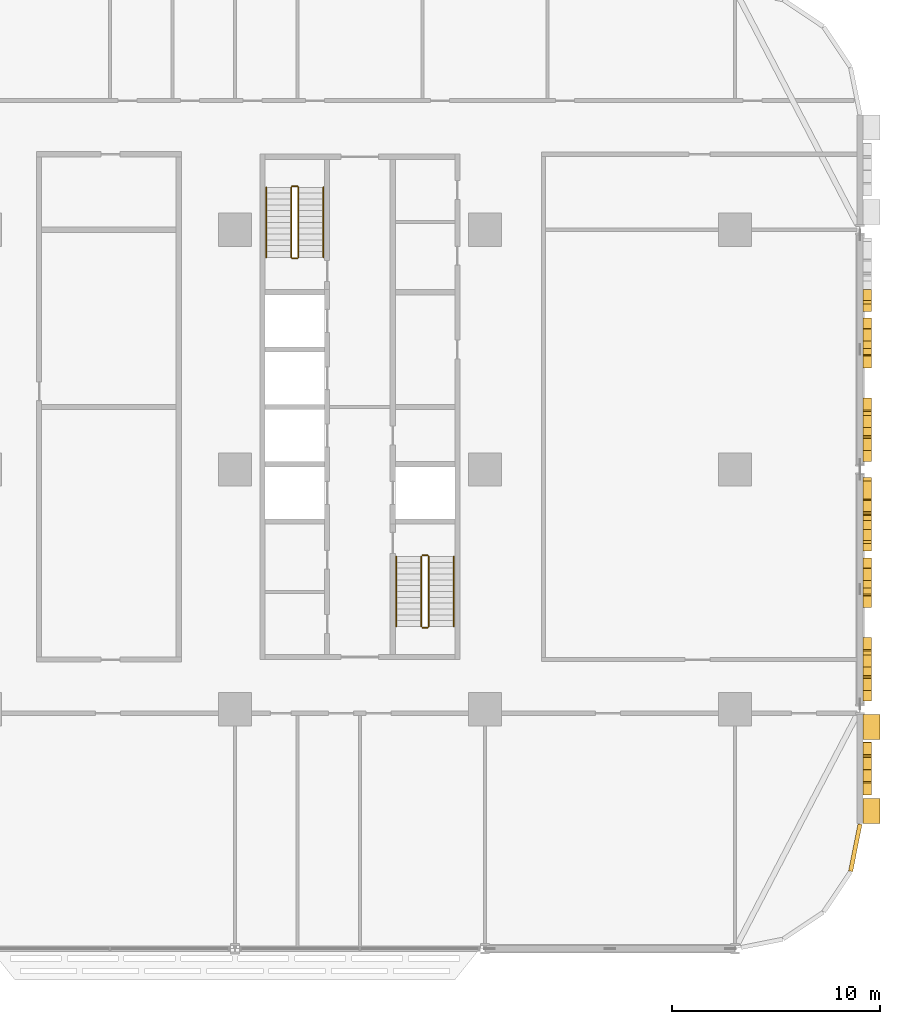
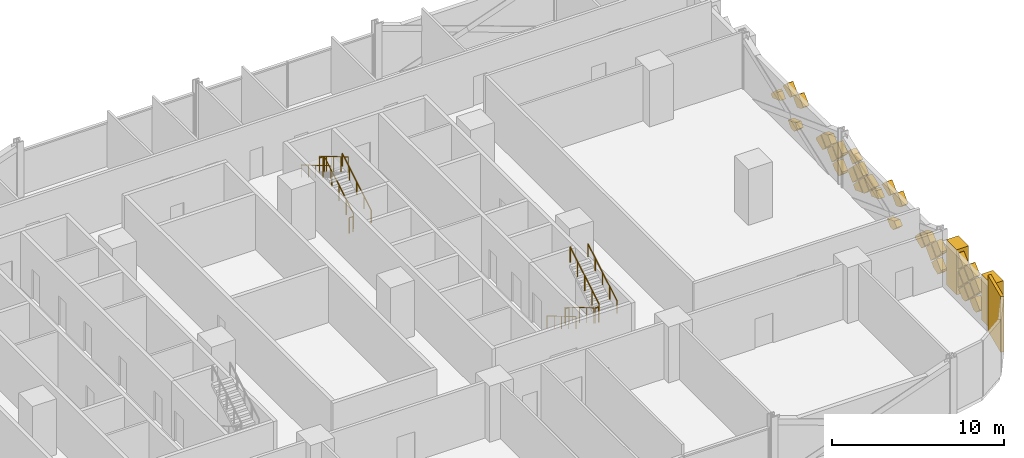
# One storey, part 26 of 27: 35 coverings, 12 railings.
"""IFC4 building model written with IfcOpenShell, lengths in metres."""

from ifc_helpers import new_model, si_unit, direction, frame, origin, origin_2d, place, context, subcontext, project, spatial, polyline, rectangle, circle, outline, extrude, material, layer, layer_set, type_object, element, save


model = new_model("IFC4")

# Units and contexts
model_context = context("Model", 3, precision=1e-05, world=origin(), true_north=direction((0.0, 1.0)))
body_context = subcontext(model_context, "Body", "Model", "MODEL_VIEW")
ifc_project = project(units=[si_unit("LENGTHUNIT", "METRE"), si_unit("AREAUNIT", "SQUARE_METRE"), si_unit("VOLUMEUNIT", "CUBIC_METRE"), si_unit("PLANEANGLEUNIT", "RADIAN"), si_unit("MASSUNIT", "GRAM", prefix="KILO")], contexts=[model_context])

# Site, building, storey
site_placement = place(None, origin())
site = spatial("IfcSite", under=ifc_project, at=site_placement, CompositionType="ELEMENT")
building_placement = place(site_placement, origin())
building = spatial("IfcBuilding", under=site, at=building_placement, Name="Mahtab Terrace Research Tower", CompositionType="ELEMENT")
storey_placement = place(building_placement, frame((0.0, 0.0, 28.699951171875)))
storey = spatial("IfcBuildingStorey", under=building, at=storey_placement, Name="L06", CompositionType="ELEMENT", Elevation=28.699951171875)

# Coverings
ifc_material_1 = material(Name="Black aluminium cladding panel", Category="aluminium")
ifc_layer_1 = layer(ifc_material_1, 0.199951171875)
ifc_layer_set_1 = layer_set([ifc_layer_1], Name="Black metal corner cladding 200")
covering_type_1 = type_object("IfcCoveringType", Name="Black metal corner cladding 200", PredefinedType="CLADDING", material=ifc_layer_set_1)
covering_1_placement = place(storey_placement, frame((47.771484375, -18.14794921875, 0.0), z_axis=(0.0, 0.0, 1.0), x_axis=(0.195212442692, 0.980760981187, 0.0)))
element("IfcCovering", 1, at=covering_1_placement, inside=storey, type_object=covering_type_1, Name="Corner cladding L06 32", PredefinedType="CLADDING", context=body_context, shape_type="SweptSolid", body=[
    extrude(rectangle(XDim=2.30126953125, YDim=0.199951171875, at=origin_2d()), origin(), (0.0, 0.0, 1.0), 3.9599609375),
])
ifc_material_2 = material(Name="Bronze anodised aluminium", Category="aluminium")
ifc_layer_2 = layer(ifc_material_2, 0.39990234375)
ifc_layer_set_2 = layer_set([ifc_layer_2], Name="Mashrabiya relief panel 400")
covering_type_2 = type_object("IfcCoveringType", Name="Mashrabiya relief panel 400", PredefinedType="CLADDING", material=ifc_layer_set_2)
covering_2_placement = place(storey_placement, frame((48.14990234375, -15.6298828125, 0.550048828125), z_axis=(-1.0, 0.0, 0.0), x_axis=(0.0, 0.706957932274, 0.707255598772)))
element("IfcCovering", 2, at=covering_2_placement, inside=storey, type_object=covering_type_2, Name="Mashrabiya lattice cell L06 E33.1", PredefinedType="CLADDING", context=body_context, shape_type="SweptSolid", body=[
    extrude(outline(polyline([(0.0, 0.0), (0.8201817362875763, 0.0), (0.8200090664636573, 0.8203543334390104), (0.23305520836335525, 0.820230790214826), (-0.0002961403756186476, 0.5867811882763831), (0.0, 0.0)])), origin(), (0.0, 0.0, -1.0), 0.39990234375),
])
covering_3_placement = place(storey_placement, frame((48.14990234375, -15.050048828125, 2.429931640625), z_axis=(-1.0, 0.0, 0.0), x_axis=(0.0, 0.707255598772, -0.706957932274)))
element("IfcCovering", 3, at=covering_3_placement, inside=storey, type_object=covering_type_2, Name="Mashrabiya lattice cell L06 E33.2", PredefinedType="CLADDING", context=body_context, shape_type="SweptSolid", body=[
    extrude(outline(polyline([(0.0, 0.0), (0.8201817362875763, 0.0), (0.8200090664636573, 0.8203543334390104), (-0.00017259715143413956, 0.8200090664636573), (0.0, 0.0)])), origin(), (0.0, 0.0, -1.0), 0.39990234375),
])
covering_4_placement = place(storey_placement, frame((48.14990234375, -14.39990234375, 1.780029296875), z_axis=(-1.0, 0.0, 0.0), x_axis=(0.0, 0.706957932274, -0.707255598772)))
element("IfcCovering", 4, at=covering_4_placement, inside=storey, type_object=covering_type_2, Name="Mashrabiya lattice cell L06 E33.3", PredefinedType="CLADDING", context=body_context, shape_type="SweptSolid", body=[
    extrude(outline(polyline([(0.0, 0.0), (0.8201817362875763, 0.0), (0.8203543334390104, 0.8200090664636573), (0.00017266982391900276, 0.8203543334390104), (0.0, 0.0)])), origin(), (0.0, 0.0, -1.0), 0.39990234375),
])
covering_5_placement = place(storey_placement, frame((48.14990234375, -13.820068359375, 2.5), z_axis=(-1.0, 0.0, 0.0), x_axis=(0.0, -0.707106781187, -0.707106781187)))
element("IfcCovering", 5, at=covering_5_placement, inside=storey, type_object=covering_type_2, Name="Mashrabiya lattice cell L06 E33.4", PredefinedType="CLADDING", context=body_context, shape_type="SweptSolid", body=[
    extrude(outline(polyline([(0.0, 0.0), (0.8200090846279543, 0.0), (0.820181718119455, 0.820181718119455), (0.01691808216706092, 0.8203543516109556), (-0.0001726334915006511, 0.803263635952394), (0.0, 0.0)])), origin(), (0.0, 0.0, -1.0), 0.39990234375),
])
covering_6_placement = place(storey_placement, frame((48.14990234375, -14.330078125, 0.550048828125), z_axis=(-1.0, 0.0, 0.0), x_axis=(0.0, 0.707106781187, 0.707106781187)))
element("IfcCovering", 6, at=covering_6_placement, inside=storey, type_object=covering_type_2, Name="Mashrabiya lattice cell L06 E33.5", PredefinedType="CLADDING", context=body_context, shape_type="SweptSolid", body=[
    extrude(outline(polyline([(0.0, 0.0), (0.8203543516109556, 0.0), (0.8203543516109556, 0.8203543516109556), (0.23340048050884088, 0.8203543516109556), (0.0, 0.5869538711021147), (0.0, 0.0)])), origin(), (0.0, 0.0, -1.0), 0.39990234375),
])
covering_7_placement = place(storey_placement, frame((48.14990234375, -13.75, 2.429931640625), z_axis=(-1.0, 0.0, 0.0), x_axis=(0.0, 0.707255598772, -0.706957932274)))
element("IfcCovering", 7, at=covering_7_placement, inside=storey, type_object=covering_type_2, Name="Mashrabiya lattice cell L06 E33.6", PredefinedType="CLADDING", context=body_context, shape_type="SweptSolid", body=[
    extrude(outline(polyline([(0.0, 0.0), (0.8201817362875763, 0.0), (0.8200090664636573, 0.8203543334390104), (-0.0003452669753531423, 0.8201816636150915), (0.0, 0.0)])), origin(), (0.0, 0.0, -1.0), 0.39990234375),
])
covering_8_placement = place(storey_placement, frame((48.14990234375, -13.10009765625, 0.6201171875), z_axis=(-1.0, 0.0, 0.0), x_axis=(0.0, -0.707106781187, 0.707106781187)))
element("IfcCovering", 8, at=covering_8_placement, inside=storey, type_object=covering_type_2, Name="Mashrabiya lattice cell L06 E33.7", PredefinedType="CLADDING", context=body_context, shape_type="SweptSolid", body=[
    extrude(outline(polyline([(0.0, 0.0), (0.8200090846279543, 0.0), (0.820181718119455, 0.820181718119455), (0.7975667307328734, 0.8203543516109556), (-0.00017263349150062161, 0.022614987386581478), (0.0, 0.0)])), origin(), (0.0, 0.0, -1.0), 0.39990234375),
])
covering_9_placement = place(storey_placement, frame((48.14990234375, -13.10009765625, 1.920166015625), z_axis=(-1.0, 0.0, 0.0), x_axis=(0.0, -0.707106781187, 0.707106781187)))
element("IfcCovering", 9, at=covering_9_placement, inside=storey, type_object=covering_type_2, Name="Mashrabiya lattice cell L06 E33.8", PredefinedType="CLADDING", context=body_context, shape_type="SweptSolid", body=[
    extrude(outline(polyline([(0.0, 0.0), (0.8200090846279543, 0.0), (0.820181718119455, 0.803263635952394), (0.7973940972413728, 0.820181718119455), (-0.00017263349150062161, 0.022614987386581478), (0.0, 0.0)])), origin(), (0.0, 0.0, -1.0), 0.39990234375),
])
covering_10_placement = place(storey_placement, frame((48.14990234375, -11.115966796875, 0.485107421875), z_axis=(-1.0, 0.0, 0.0), x_axis=(0.0, 0.0, 1.0)))
element("IfcCovering", 10, at=covering_10_placement, inside=storey, type_object=covering_type_2, Name="Mashrabiya lattice cell L06 E34.1", PredefinedType="CLADDING", context=body_context, shape_type="SweptSolid", body=[
    extrude(outline(polyline([(0.0, 0.0), (0.1298828125, 0.0), (0.64501953125, 0.514892578125), (0.06494140625, 1.094970703125), (-0.16015625, 0.869873046875), (-0.35009765625, 0.362060546875), (0.0, 0.0)])), origin(), (0.0, 0.0, -1.0), 0.39990234375),
])
covering_11_placement = place(storey_placement, frame((48.14990234375, -10.60107421875, 2.429931640625), z_axis=(-1.0, 0.0, 0.0), x_axis=(0.0, 0.707255598772, -0.706957932274)))
element("IfcCovering", 11, at=covering_11_placement, inside=storey, type_object=covering_type_2, Name="Mashrabiya lattice cell L06 E34.2", PredefinedType="CLADDING", context=body_context, shape_type="SweptSolid", body=[
    extrude(outline(polyline([(0.0, 0.0), (0.8201817362875763, 0.0), (0.8200090664636573, 0.8203543334390104), (0.0916684182924955, 0.820028397344618), (-0.0001532662704735177, 0.7281680510197277), (0.0, 0.0)])), origin(), (0.0, 0.0, -1.0), 0.39990234375),
])
covering_12_placement = place(storey_placement, frame((48.14990234375, -9.950927734375, 1.780029296875), z_axis=(-1.0, 0.0, 0.0), x_axis=(0.0, 0.706957932274, -0.707255598772)))
element("IfcCovering", 12, at=covering_12_placement, inside=storey, type_object=covering_type_2, Name="Mashrabiya lattice cell L06 E34.3", PredefinedType="CLADDING", context=body_context, shape_type="SweptSolid", body=[
    extrude(outline(polyline([(0.0, 0.0), (0.8201817362875763, 0.0), (0.8203543334390104, 0.8200090664636573), (0.00017266982391900276, 0.8203543334390104), (0.0, 0.0)])), origin(), (0.0, 0.0, -1.0), 0.39990234375),
])
covering_13_placement = place(storey_placement, frame((48.14990234375, -8.720947265625, 1.85009765625), z_axis=(-1.0, 0.0, 0.0), x_axis=(0.0, -0.707106781187, -0.707106781187)))
element("IfcCovering", 13, at=covering_13_placement, inside=storey, type_object=covering_type_2, Name="Mashrabiya lattice cell L06 E34.4", PredefinedType="CLADDING", context=body_context, shape_type="SweptSolid", body=[
    extrude(outline(polyline([(0.0, 0.0), (0.8203543516109556, 0.0), (0.8203543516109556, 0.8203543516109556), (0.2532533320314124, 0.820181718119455), (0.0, 0.26585557691095785), (0.0, 0.0)])), origin(), (0.0, 0.0, -1.0), 0.39990234375),
])
covering_14_placement = place(storey_placement, frame((48.14990234375, -9.23095703125, 1.199951171875), z_axis=(-1.0, 0.0, 0.0), x_axis=(0.0, 0.707106781187, 0.707106781187)))
element("IfcCovering", 14, at=covering_14_placement, inside=storey, type_object=covering_type_2, Name="Mashrabiya lattice cell L06 E34.5", PredefinedType="CLADDING", context=body_context, shape_type="SweptSolid", body=[
    extrude(outline(polyline([(0.0, 0.0), (0.8203543516109556, 0.0), (0.820181718119455, 0.820181718119455), (0.6803485900039511, 0.820181718119455), (0.0, 0.5103046008758385), (0.0, 0.0)])), origin(), (0.0, 0.0, -1.0), 0.39990234375),
])
covering_15_placement = place(storey_placement, frame((48.14990234375, -6.631103515625, 2.5), z_axis=(-1.0, 0.0, 0.0), x_axis=(0.0, 0.707106781187, 0.707106781187)))
element("IfcCovering", 15, at=covering_15_placement, inside=storey, type_object=covering_type_2, Name="Mashrabiya lattice cell L06 E34.6", PredefinedType="CLADDING", context=body_context, shape_type="SweptSolid", body=[
    extrude(outline(polyline([(0.0, 0.0), (0.8034362694438947, 0.0), (0.8203543516109556, 0.01691808216706092), (0.8203543516109556, 0.8203543516109556), (0.20508858790273893, 0.8203543516109557), (0.00017263349150062335, 0.3720251741838403), (0.0, 0.0)])), origin(), (0.0, 0.0, -1.0), 0.39990234375),
])
covering_16_placement = place(storey_placement, frame((48.14990234375, -5.98095703125, 0.550048828125), z_axis=(-1.0, 0.0, 0.0), x_axis=(0.0, 0.707106781187, 0.707106781187)))
element("IfcCovering", 16, at=covering_16_placement, inside=storey, type_object=covering_type_2, Name="Mashrabiya lattice cell L06 E34.7", PredefinedType="CLADDING", context=body_context, shape_type="SweptSolid", body=[
    extrude(outline(polyline([(0.0, 0.0), (0.40430763709445666, 0.0), (0.7790949471423069, 0.820181718119455), (0.23322784701734023, 0.820181718119455), (0.0, 0.5869538711021147), (0.0, 0.0)])), origin(), (0.0, 0.0, -1.0), 0.39990234375),
])
covering_17_placement = place(storey_placement, frame((48.14990234375, -5.3310546875, 2.5), z_axis=(-1.0, 0.0, 0.0), x_axis=(0.0, 0.707106781187, 0.707106781187)))
element("IfcCovering", 17, at=covering_17_placement, inside=storey, type_object=covering_type_2, Name="Mashrabiya lattice cell L06 E34.8", PredefinedType="CLADDING", context=body_context, shape_type="SweptSolid", body=[
    extrude(outline(polyline([(0.0, 0.0), (0.8034362694438947, 0.0), (0.8203543516109556, 0.01691808216706092), (0.8203543516109556, 0.7212627274895985), (0.00017263349150062335, 0.34647541744174826), (0.0, 0.0)])), origin(), (0.0, 0.0, -1.0), 0.39990234375),
])
covering_18_placement = place(storey_placement, frame((48.14990234375, -2.87109375, 1.199951171875), z_axis=(-1.0, 0.0, 0.0), x_axis=(0.0, -0.707106781187, -0.707106781187)))
element("IfcCovering", 18, at=covering_18_placement, inside=storey, type_object=covering_type_2, Name="Mashrabiya lattice cell L06 E34.9", PredefinedType="CLADDING", context=body_context, shape_type="SweptSolid", body=[
    extrude(outline(polyline([(0.0, 0.0), (0.27863045528200386, 0.0), (0.6518640639063485, 0.8203543516109556), (0.14276789747101437, 0.820181718119455), (-0.0001726334915006511, 0.7552715253152211), (0.0, 0.0)])), origin(), (0.0, 0.0, -1.0), 0.39990234375),
])
covering_19_placement = place(storey_placement, frame((48.14990234375, -2.220947265625, 1.85009765625), z_axis=(-1.0, 0.0, 0.0), x_axis=(0.0, -0.707106781187, -0.707106781187)))
element("IfcCovering", 19, at=covering_19_placement, inside=storey, type_object=covering_type_2, Name="Mashrabiya lattice cell L06 E34.10", PredefinedType="CLADDING", context=body_context, shape_type="SweptSolid", body=[
    extrude(outline(polyline([(0.0, 0.0), (0.8203543516109556, 0.0), (0.8203543516109556, 0.7098689170505575), (0.0, 0.3366353084262128), (0.0, 0.0)])), origin(), (0.0, 0.0, -1.0), 0.39990234375),
])
covering_20_placement = place(storey_placement, frame((48.14990234375, -2.73095703125, 1.199951171875), z_axis=(-1.0, 0.0, 0.0), x_axis=(0.0, 0.707106781187, 0.707106781187)))
element("IfcCovering", 20, at=covering_20_placement, inside=storey, type_object=covering_type_2, Name="Mashrabiya lattice cell L06 E34.11", PredefinedType="CLADDING", context=body_context, shape_type="SweptSolid", body=[
    extrude(outline(polyline([(0.0, 0.0), (0.8203543516109556, 0.0), (0.820181718119455, 0.820181718119455), (0.041086770977148024, 0.8200090846279544), (0.0, 0.7281680671496235), (0.0, 0.0)])), origin(), (0.0, 0.0, -1.0), 0.39990234375),
])
covering_21_placement = place(storey_placement, frame((48.14990234375, -1.5009765625, 1.130126953125), z_axis=(-1.0, 0.0, 0.0), x_axis=(0.0, 0.707106781187, -0.707106781187)))
element("IfcCovering", 21, at=covering_21_placement, inside=storey, type_object=covering_type_2, Name="Mashrabiya lattice cell L06 E34.12", PredefinedType="CLADDING", context=body_context, shape_type="SweptSolid", body=[
    extrude(outline(polyline([(0.0, 0.0), (0.8203543516109556, 0.0), (0.820181718119455, 0.3592502958127942), (0.0, 0.7340376058606446), (0.0, 0.0)])), origin(), (0.0, 0.0, -1.0), 0.39990234375),
])
covering_22_placement = place(storey_placement, frame((48.14990234375, -1.5009765625, 2.429931640625), z_axis=(-1.0, 0.0, 0.0), x_axis=(0.0, 0.707255598772, -0.706957932274)))
element("IfcCovering", 22, at=covering_22_placement, inside=storey, type_object=covering_type_2, Name="Mashrabiya lattice cell L06 E34.13", PredefinedType="CLADDING", context=body_context, shape_type="SweptSolid", body=[
    extrude(outline(polyline([(0.0, 0.0), (0.8201817362875763, 0.0), (0.8200090664636573, 0.8203543334390104), (-0.0003452669753531423, 0.8201816636150915), (0.0, 0.0)])), origin(), (0.0, 0.0, -1.0), 0.39990234375),
])
covering_23_placement = place(storey_placement, frame((48.14990234375, -0.85107421875, 0.6201171875), z_axis=(-1.0, 0.0, 0.0), x_axis=(0.0, -0.707106781187, 0.707106781187)))
element("IfcCovering", 23, at=covering_23_placement, inside=storey, type_object=covering_type_2, Name="Mashrabiya lattice cell L06 E34.14", PredefinedType="CLADDING", context=body_context, shape_type="SweptSolid", body=[
    extrude(outline(polyline([(0.0, 0.0), (0.8200090846279543, 0.0), (0.820181718119455, 0.820181718119455), (0.1596859796380753, 0.820181718119455), (0.0, 0.6604957384813797), (0.0, 0.0)])), origin(), (0.0, 0.0, -1.0), 0.39990234375),
])
covering_24_placement = place(storey_placement, frame((48.14990234375, -0.85107421875, 1.920166015625), z_axis=(-1.0, 0.0, 0.0), x_axis=(0.0, -0.707106781187, 0.707106781187)))
element("IfcCovering", 24, at=covering_24_placement, inside=storey, type_object=covering_type_2, Name="Mashrabiya lattice cell L06 E34.15", PredefinedType="CLADDING", context=body_context, shape_type="SweptSolid", body=[
    extrude(outline(polyline([(0.0, 0.0), (0.7916971920218523, 0.0), (0.4170825154655026, 0.8203543516109555), (0.1596859796380753, 0.820181718119455), (-0.0001726334915006511, 0.660323104989879), (0.0, 0.0)])), origin(), (0.0, 0.0, -1.0), 0.39990234375),
])
covering_25_placement = place(storey_placement, frame((48.14990234375, 0.384033203125, 0.485107421875), z_axis=(-1.0, 0.0, 0.0), x_axis=(0.0, 0.0, 1.0)))
element("IfcCovering", 25, at=covering_25_placement, inside=storey, type_object=covering_type_2, Name="Mashrabiya lattice cell L06 E35.1", PredefinedType="CLADDING", context=body_context, shape_type="SweptSolid", body=[
    extrude(outline(polyline([(0.0, 0.0), (0.1298828125, 0.0), (0.64501953125, 0.514892578125), (0.06494140625, 1.094970703125), (-0.16015625, 0.869873046875), (-0.35009765625, 0.362060546875), (0.0, 0.0)])), origin(), (0.0, 0.0, -1.0), 0.39990234375),
])
covering_26_placement = place(storey_placement, frame((48.14990234375, 0.89892578125, 2.429931640625), z_axis=(-1.0, 0.0, 0.0), x_axis=(0.0, 0.707255598772, -0.706957932274)))
element("IfcCovering", 26, at=covering_26_placement, inside=storey, type_object=covering_type_2, Name="Mashrabiya lattice cell L06 E35.2", PredefinedType="CLADDING", context=body_context, shape_type="SweptSolid", body=[
    extrude(outline(polyline([(0.0, 0.0), (0.8201817362875763, 0.0), (0.8200090664636573, 0.8203543334390104), (0.0916684182924955, 0.820028397344618), (-0.0001532662704735177, 0.7281680510197277), (0.0, 0.0)])), origin(), (0.0, 0.0, -1.0), 0.39990234375),
])
covering_27_placement = place(storey_placement, frame((48.14990234375, 1.549072265625, 1.780029296875), z_axis=(-1.0, 0.0, 0.0), x_axis=(0.0, 0.706957932274, -0.707255598772)))
element("IfcCovering", 27, at=covering_27_placement, inside=storey, type_object=covering_type_2, Name="Mashrabiya lattice cell L06 E35.3", PredefinedType="CLADDING", context=body_context, shape_type="SweptSolid", body=[
    extrude(outline(polyline([(0.0, 0.0), (0.8201817362875763, 0.0), (0.8203543334390104, 0.8200090664636573), (0.00017266982391900276, 0.8203543334390104), (0.0, 0.0)])), origin(), (0.0, 0.0, -1.0), 0.39990234375),
])
covering_28_placement = place(storey_placement, frame((48.14990234375, 2.779052734375, 1.85009765625), z_axis=(-1.0, 0.0, 0.0), x_axis=(0.0, -0.707106781187, -0.707106781187)))
element("IfcCovering", 28, at=covering_28_placement, inside=storey, type_object=covering_type_2, Name="Mashrabiya lattice cell L06 E35.4", PredefinedType="CLADDING", context=body_context, shape_type="SweptSolid", body=[
    extrude(outline(polyline([(0.0, 0.0), (0.8203543516109556, 0.0), (0.8203543516109556, 0.8203543516109556), (0.2532533320314124, 0.820181718119455), (0.0, 0.26585557691095785), (0.0, 0.0)])), origin(), (0.0, 0.0, -1.0), 0.39990234375),
])
covering_29_placement = place(storey_placement, frame((48.14990234375, 2.26904296875, 1.199951171875), z_axis=(-1.0, 0.0, 0.0), x_axis=(0.0, 0.707106781187, 0.707106781187)))
element("IfcCovering", 29, at=covering_29_placement, inside=storey, type_object=covering_type_2, Name="Mashrabiya lattice cell L06 E35.5", PredefinedType="CLADDING", context=body_context, shape_type="SweptSolid", body=[
    extrude(outline(polyline([(0.0, 0.0), (0.8203543516109556, 0.0), (0.820181718119455, 0.820181718119455), (0.6803485900039511, 0.820181718119455), (0.0, 0.5103046008758385), (0.0, 0.0)])), origin(), (0.0, 0.0, -1.0), 0.39990234375),
])
covering_30_placement = place(storey_placement, frame((48.14990234375, 4.868896484375, 2.5), z_axis=(-1.0, 0.0, 0.0), x_axis=(0.0, 0.707106781187, 0.707106781187)))
element("IfcCovering", 30, at=covering_30_placement, inside=storey, type_object=covering_type_2, Name="Mashrabiya lattice cell L06 E35.6", PredefinedType="CLADDING", context=body_context, shape_type="SweptSolid", body=[
    extrude(outline(polyline([(0.0, 0.0), (0.8034362694438947, 0.0), (0.8203543516109556, 0.01691808216706092), (0.8203543516109556, 0.8203543516109556), (0.20508858790273893, 0.8203543516109557), (0.00017263349150062335, 0.3720251741838403), (0.0, 0.0)])), origin(), (0.0, 0.0, -1.0), 0.39990234375),
])
covering_31_placement = place(storey_placement, frame((48.14990234375, 5.51904296875, 0.550048828125), z_axis=(-1.0, 0.0, 0.0), x_axis=(0.0, 0.707106781187, 0.707106781187)))
element("IfcCovering", 31, at=covering_31_placement, inside=storey, type_object=covering_type_2, Name="Mashrabiya lattice cell L06 E35.7", PredefinedType="CLADDING", context=body_context, shape_type="SweptSolid", body=[
    extrude(outline(polyline([(0.0, 0.0), (0.40430763709445666, 0.0), (0.7790949471423069, 0.820181718119455), (0.23322784701734023, 0.820181718119455), (0.0, 0.5869538711021147), (0.0, 0.0)])), origin(), (0.0, 0.0, -1.0), 0.39990234375),
])
covering_32_placement = place(storey_placement, frame((48.14990234375, 6.1689453125, 2.5), z_axis=(-1.0, 0.0, 0.0), x_axis=(0.0, 0.707106781187, 0.707106781187)))
element("IfcCovering", 32, at=covering_32_placement, inside=storey, type_object=covering_type_2, Name="Mashrabiya lattice cell L06 E35.8", PredefinedType="CLADDING", context=body_context, shape_type="SweptSolid", body=[
    extrude(outline(polyline([(0.0, 0.0), (0.8034362694438947, 0.0), (0.8203543516109556, 0.01691808216706092), (0.8203543516109556, 0.7212627274895985), (0.00017263349150062335, 0.34647541744174826), (0.0, 0.0)])), origin(), (0.0, 0.0, -1.0), 0.39990234375),
])
covering_33_placement = place(storey_placement, frame((48.14990234375, 8.62890625, 1.199951171875), z_axis=(-1.0, 0.0, 0.0), x_axis=(0.0, -0.707106781187, -0.707106781187)))
element("IfcCovering", 33, at=covering_33_placement, inside=storey, type_object=covering_type_2, Name="Mashrabiya lattice cell L06 E35.9", PredefinedType="CLADDING", context=body_context, shape_type="SweptSolid", body=[
    extrude(outline(polyline([(0.0, 0.0), (0.27863045528200386, 0.0), (0.6518640639063485, 0.8203543516109556), (0.14276789747101437, 0.820181718119455), (-0.0001726334915006511, 0.7552715253152211), (0.0, 0.0)])), origin(), (0.0, 0.0, -1.0), 0.39990234375),
])
ifc_material_3 = material(Name="Glazed ceramic tile cladding", Category="masonry")
ifc_layer_3 = layer(ifc_material_3, 0.800048828125)
ifc_layer_set_3 = layer_set([ifc_layer_3], Name="Pishtaq frame pier 800")
covering_type_3 = type_object("IfcCoveringType", Name="Pishtaq frame pier 800", PredefinedType="CLADDING", material=ifc_layer_set_3)
for number, where, z_axis, x_axis, name in (
    (34, (48.550048828125, -16.39990234375, 0.00048828125), (0.0, 0.0, 1.0), (0.0, 1.0, 0.0), "Pishtaq frame pier 33a"),
    (35, (48.550048828125, -12.34912109375, 0.00048828125), (0.0, 0.0, 1.0), (0.0, 1.0, 0.0), "Pishtaq frame pier 33b"),
):
    element("IfcCovering", number, at=place(storey_placement, frame(where, z_axis=z_axis, x_axis=x_axis)), inside=storey, type_object=covering_type_3, Name=name, PredefinedType="CLADDING", context=body_context, shape_type="SweptSolid", body=[
        extrude(rectangle(XDim=1.199951171875, YDim=0.800048828125, at=origin_2d()), origin(), (0.0, 0.0, 1.0), 3.202880859375),
    ])

# Railings
ifc_material_4 = material(Name="Stainless steel AISI 304", Category="steel")
railing_type_1 = type_object("IfcRailingType", Name="Stair guard 1100", PredefinedType="GUARDRAIL", material=ifc_material_4)
railing_1_placement = place(storey_placement, frame((21.050048828125, 10.175048828125, 0.16552734375)))
element("IfcRailing", 36, at=railing_1_placement, inside=storey, type_object=railing_type_1, Name="L06 ST3 stair guard 1", PredefinedType="GUARDRAIL", context=body_context, shape_type="SweptSolid", body=[
    extrude(circle(Radius=0.02392578125, at=origin_2d()), frame((0.0, 0.0, 1.076171875), z_axis=(0.0, 0.861011212953, 0.508585972249), x_axis=(-1.0, 0.0, 0.0)), (0.0, 0.0, 1.0), 3.90234375),
    extrude(circle(Radius=0.02099609375, at=origin_2d()), origin(), (0.0, 0.0, 1.0), 1.052001953125),
    extrude(circle(Radius=0.02099609375, at=origin_2d()), frame((0.0, 0.83984375, 0.49609375)), (0.0, 0.0, 1.0), 1.052001953125),
    extrude(circle(Radius=0.02099609375, at=origin_2d()), frame((0.0, 1.679931640625, 0.9921875)), (0.0, 0.0, 1.0), 1.052001953125),
    extrude(circle(Radius=0.02099609375, at=origin_2d()), frame((0.0, 2.52001953125, 1.488525390625)), (0.0, 0.0, 1.0), 1.052001953125),
    extrude(circle(Radius=0.02099609375, at=origin_2d()), frame((0.0, 3.35986328125, 1.984619140625)), (0.0, 0.0, 1.0), 1.052001953125),
])
railing_2_placement = place(storey_placement, frame((21.0, 13.5849609375, 2.150146484375)))
element("IfcRailing", 37, at=railing_2_placement, inside=storey, type_object=railing_type_1, Name="L06 ST3 stair guard 2", PredefinedType="GUARDRAIL", context=body_context, shape_type="SweptSolid", body=[
    extrude(circle(Radius=0.02392578125, at=origin_2d()), frame((0.0, 0.0, 1.076171875), z_axis=(-1.0, 0.0, 0.0), x_axis=(0.0, -1.0, 0.0)), (0.0, 0.0, 1.0), 0.25),
    extrude(circle(Radius=0.02099609375, at=origin_2d()), origin(), (0.0, 0.0, 1.0), 1.052001953125),
    extrude(circle(Radius=0.02099609375, at=origin_2d()), frame((-0.25, 0.0, 0.0)), (0.0, 0.0, 1.0), 1.052001953125),
])
railing_3_placement = place(storey_placement, frame((20.699951171875, 13.534912109375, 2.3154296875)))
element("IfcRailing", 38, at=railing_3_placement, inside=storey, type_object=railing_type_1, Name="L06 ST3 stair guard 3", PredefinedType="GUARDRAIL", context=body_context, shape_type="SweptSolid", body=[
    extrude(circle(Radius=0.02392578125, at=origin_2d()), frame((0.0, 0.0, 1.076171875), z_axis=(0.0, -0.861011212953, 0.508585972249), x_axis=(1.0, 0.0, 0.0)), (0.0, 0.0, 1.0), 3.90234375),
    extrude(circle(Radius=0.02099609375, at=origin_2d()), origin(), (0.0, 0.0, 1.0), 1.052001953125),
    extrude(circle(Radius=0.02099609375, at=origin_2d()), frame((0.0, -0.83984375, 0.49609375)), (0.0, 0.0, 1.0), 1.052001953125),
    extrude(circle(Radius=0.02099609375, at=origin_2d()), frame((0.0, -1.679931640625, 0.9921875)), (0.0, 0.0, 1.0), 1.052001953125),
    extrude(circle(Radius=0.02099609375, at=origin_2d()), frame((0.0, -2.52001953125, 1.488525390625)), (0.0, 0.0, 1.0), 1.052001953125),
    extrude(circle(Radius=0.02099609375, at=origin_2d()), frame((0.0, -3.35986328125, 1.984619140625)), (0.0, 0.0, 1.0), 1.052001953125),
])
railing_4_placement = place(storey_placement, frame((21.0, 10.125, 0.0)))
element("IfcRailing", 39, at=railing_4_placement, inside=storey, type_object=railing_type_1, Name="L06 ST3 stair guard 4", PredefinedType="GUARDRAIL", context=body_context, shape_type="SweptSolid", body=[
    extrude(circle(Radius=0.02392578125, at=origin_2d()), frame((0.0, 0.0, 1.076171875), z_axis=(-1.0, 0.0, 0.0), x_axis=(0.0, -1.0, 0.0)), (0.0, 0.0, 1.0), 0.25),
    extrude(circle(Radius=0.02099609375, at=origin_2d()), origin(), (0.0, 0.0, 1.0), 1.052001953125),
    extrude(circle(Radius=0.02099609375, at=origin_2d()), frame((-0.25, 0.0, 0.0)), (0.0, 0.0, 1.0), 1.052001953125),
])
railing_5_placement = place(storey_placement, frame((26.949951171875, -4.175048828125, 0.16552734375)))
element("IfcRailing", 40, at=railing_5_placement, inside=storey, type_object=railing_type_1, Name="L06 ST4 stair guard 1", PredefinedType="GUARDRAIL", context=body_context, shape_type="SweptSolid", body=[
    extrude(circle(Radius=0.02392578125, at=origin_2d()), frame((0.0, 0.0, 1.076171875), z_axis=(0.0, -0.861011212953, 0.508585972249), x_axis=(1.0, 0.0, 0.0)), (0.0, 0.0, 1.0), 3.90234375),
    extrude(circle(Radius=0.02099609375, at=origin_2d()), origin(), (0.0, 0.0, 1.0), 1.052001953125),
    extrude(circle(Radius=0.02099609375, at=origin_2d()), frame((0.0, -0.83984375, 0.49609375)), (0.0, 0.0, 1.0), 1.052001953125),
    extrude(circle(Radius=0.02099609375, at=origin_2d()), frame((0.0, -1.679931640625, 0.9921875)), (0.0, 0.0, 1.0), 1.052001953125),
    extrude(circle(Radius=0.02099609375, at=origin_2d()), frame((0.0, -2.52001953125, 1.488525390625)), (0.0, 0.0, 1.0), 1.052001953125),
    extrude(circle(Radius=0.02099609375, at=origin_2d()), frame((0.0, -3.35986328125, 1.984619140625)), (0.0, 0.0, 1.0), 1.052001953125),
])
railing_6_placement = place(storey_placement, frame((27.0, -7.5849609375, 2.150146484375)))
element("IfcRailing", 41, at=railing_6_placement, inside=storey, type_object=railing_type_1, Name="L06 ST4 stair guard 2", PredefinedType="GUARDRAIL", context=body_context, shape_type="SweptSolid", body=[
    extrude(circle(Radius=0.02392578125, at=origin_2d()), frame((0.0, 0.0, 1.076171875), z_axis=(1.0, 0.0, 0.0), x_axis=(0.0, 1.0, 0.0)), (0.0, 0.0, 1.0), 0.25),
    extrude(circle(Radius=0.02099609375, at=origin_2d()), origin(), (0.0, 0.0, 1.0), 1.052001953125),
    extrude(circle(Radius=0.02099609375, at=origin_2d()), frame((0.25, 0.0, 0.0)), (0.0, 0.0, 1.0), 1.052001953125),
])
railing_7_placement = place(storey_placement, frame((27.300048828125, -7.534912109375, 2.3154296875)))
element("IfcRailing", 42, at=railing_7_placement, inside=storey, type_object=railing_type_1, Name="L06 ST4 stair guard 3", PredefinedType="GUARDRAIL", context=body_context, shape_type="SweptSolid", body=[
    extrude(circle(Radius=0.02392578125, at=origin_2d()), frame((0.0, 0.0, 1.076171875), z_axis=(0.0, 0.861011212953, 0.508585972249), x_axis=(-1.0, 0.0, 0.0)), (0.0, 0.0, 1.0), 3.90234375),
    extrude(circle(Radius=0.02099609375, at=origin_2d()), origin(), (0.0, 0.0, 1.0), 1.052001953125),
    extrude(circle(Radius=0.02099609375, at=origin_2d()), frame((0.0, 0.83984375, 0.49609375)), (0.0, 0.0, 1.0), 1.052001953125),
    extrude(circle(Radius=0.02099609375, at=origin_2d()), frame((0.0, 1.679931640625, 0.9921875)), (0.0, 0.0, 1.0), 1.052001953125),
    extrude(circle(Radius=0.02099609375, at=origin_2d()), frame((0.0, 2.52001953125, 1.488525390625)), (0.0, 0.0, 1.0), 1.052001953125),
    extrude(circle(Radius=0.02099609375, at=origin_2d()), frame((0.0, 3.35986328125, 1.984619140625)), (0.0, 0.0, 1.0), 1.052001953125),
])
railing_8_placement = place(storey_placement, frame((27.0, -4.125, 0.0)))
element("IfcRailing", 43, at=railing_8_placement, inside=storey, type_object=railing_type_1, Name="L06 ST4 stair guard 4", PredefinedType="GUARDRAIL", context=body_context, shape_type="SweptSolid", body=[
    extrude(circle(Radius=0.02392578125, at=origin_2d()), frame((0.0, 0.0, 1.076171875), z_axis=(1.0, 0.0, 0.0), x_axis=(0.0, 1.0, 0.0)), (0.0, 0.0, 1.0), 0.25),
    extrude(circle(Radius=0.02099609375, at=origin_2d()), origin(), (0.0, 0.0, 1.0), 1.052001953125),
    extrude(circle(Radius=0.02099609375, at=origin_2d()), frame((0.25, 0.0, 0.0)), (0.0, 0.0, 1.0), 1.052001953125),
])
railing_type_2 = type_object("IfcRailingType", Name="Stair handrail 900", PredefinedType="HANDRAIL", material=ifc_material_4)
railing_9_placement = place(storey_placement, frame((22.25, 10.175048828125, 0.16552734375)))
element("IfcRailing", 44, at=railing_9_placement, inside=storey, type_object=railing_type_2, Name="L06 ST3 stair handrail 1", PredefinedType="HANDRAIL", context=body_context, shape_type="SweptSolid", body=[
    extrude(circle(Radius=0.02392578125, at=origin_2d()), frame((0.0, 0.0, 0.8759765625), z_axis=(0.0, 0.861011212953, 0.508585972249), x_axis=(-1.0, 0.0, 0.0)), (0.0, 0.0, 1.0), 3.90234375),
    extrude(circle(Radius=0.02099609375, at=origin_2d()), origin(), (0.0, 0.0, 1.0), 0.851806640625),
    extrude(circle(Radius=0.02099609375, at=origin_2d()), frame((0.0, 0.83984375, 0.49609375)), (0.0, 0.0, 1.0), 0.851806640625),
    extrude(circle(Radius=0.02099609375, at=origin_2d()), frame((0.0, 1.679931640625, 0.9921875)), (0.0, 0.0, 1.0), 0.851806640625),
    extrude(circle(Radius=0.02099609375, at=origin_2d()), frame((0.0, 2.52001953125, 1.488525390625)), (0.0, 0.0, 1.0), 0.851806640625),
    extrude(circle(Radius=0.02099609375, at=origin_2d()), frame((0.0, 3.35986328125, 1.984619140625)), (0.0, 0.0, 1.0), 0.851806640625),
])
for number, where, name in (
    (45, (19.5, 13.534912109375, 2.3154296875), "L06 ST3 stair handrail 2"),
    (46, (25.75, -4.175048828125, 0.16552734375), "L06 ST4 stair handrail 1"),
):
    element("IfcRailing", number, at=place(storey_placement, frame(where)), inside=storey, type_object=railing_type_2, Name=name, PredefinedType="HANDRAIL", context=body_context, shape_type="SweptSolid", body=[
        extrude(circle(Radius=0.02392578125, at=origin_2d()), frame((0.0, 0.0, 0.8759765625), z_axis=(0.0, -0.861011212953, 0.508585972249), x_axis=(1.0, 0.0, 0.0)), (0.0, 0.0, 1.0), 3.90234375),
        extrude(circle(Radius=0.02099609375, at=origin_2d()), origin(), (0.0, 0.0, 1.0), 0.851806640625),
        extrude(circle(Radius=0.02099609375, at=origin_2d()), frame((0.0, -0.83984375, 0.49609375)), (0.0, 0.0, 1.0), 0.851806640625),
        extrude(circle(Radius=0.02099609375, at=origin_2d()), frame((0.0, -1.679931640625, 0.9921875)), (0.0, 0.0, 1.0), 0.851806640625),
        extrude(circle(Radius=0.02099609375, at=origin_2d()), frame((0.0, -2.52001953125, 1.488525390625)), (0.0, 0.0, 1.0), 0.851806640625),
        extrude(circle(Radius=0.02099609375, at=origin_2d()), frame((0.0, -3.35986328125, 1.984619140625)), (0.0, 0.0, 1.0), 0.851806640625),
    ])
railing_10_placement = place(storey_placement, frame((28.5, -7.534912109375, 2.3154296875)))
element("IfcRailing", 47, at=railing_10_placement, inside=storey, type_object=railing_type_2, Name="L06 ST4 stair handrail 2", PredefinedType="HANDRAIL", context=body_context, shape_type="SweptSolid", body=[
    extrude(circle(Radius=0.02392578125, at=origin_2d()), frame((0.0, 0.0, 0.8759765625), z_axis=(0.0, 0.861011212953, 0.508585972249), x_axis=(-1.0, 0.0, 0.0)), (0.0, 0.0, 1.0), 3.90234375),
    extrude(circle(Radius=0.02099609375, at=origin_2d()), origin(), (0.0, 0.0, 1.0), 0.851806640625),
    extrude(circle(Radius=0.02099609375, at=origin_2d()), frame((0.0, 0.83984375, 0.49609375)), (0.0, 0.0, 1.0), 0.851806640625),
    extrude(circle(Radius=0.02099609375, at=origin_2d()), frame((0.0, 1.679931640625, 0.9921875)), (0.0, 0.0, 1.0), 0.851806640625),
    extrude(circle(Radius=0.02099609375, at=origin_2d()), frame((0.0, 2.52001953125, 1.488525390625)), (0.0, 0.0, 1.0), 0.851806640625),
    extrude(circle(Radius=0.02099609375, at=origin_2d()), frame((0.0, 3.35986328125, 1.984619140625)), (0.0, 0.0, 1.0), 0.851806640625),
])

save(model, "model.ifc")
